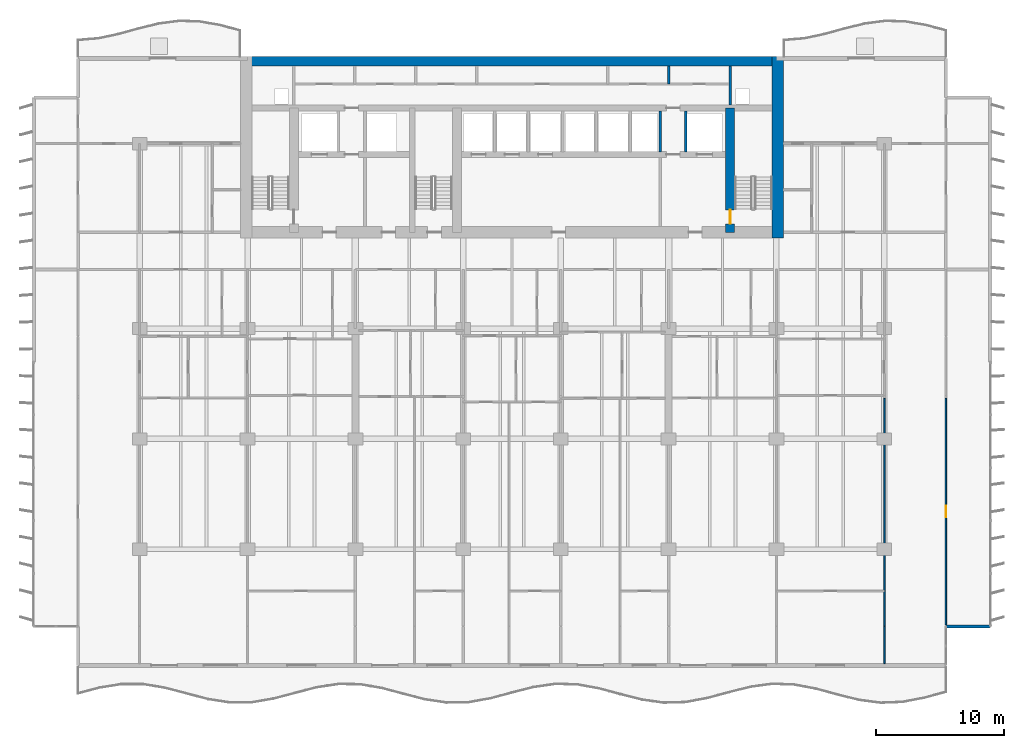
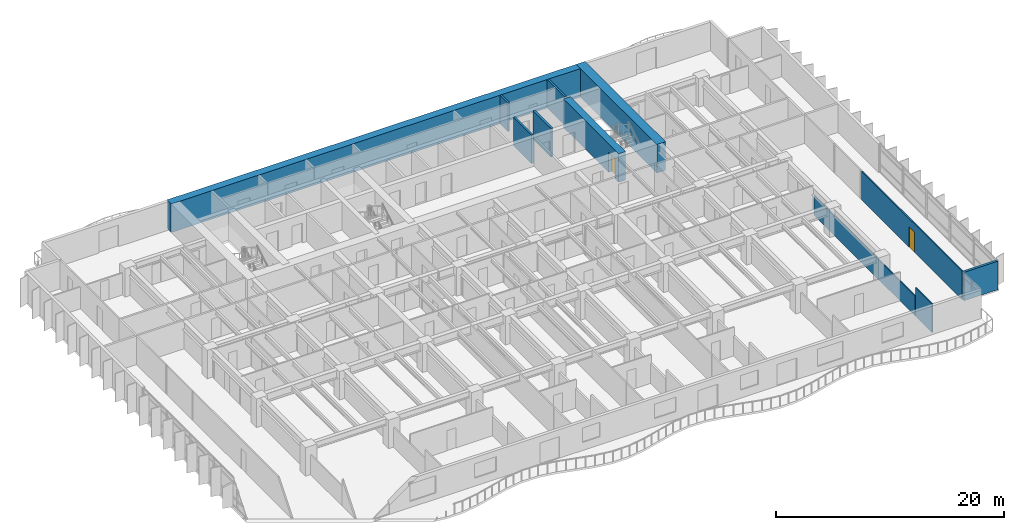
# One storey, part 12 of 18: 11 walls, 2 doors, 2 openings.
"""IFC4 building model written with IfcOpenShell, lengths in metres."""

from ifc_helpers import new_model, si_unit, direction, frame, frame_2d, origin, place, context, subcontext, project, spatial, rectangle, extrude, material, layer, layer_set, type_object, element, fill, save


model = new_model("IFC4")

# Units and contexts
model_context = context("Model", 3, precision=1e-05, world=origin(), true_north=direction((0.0, 1.0)))
body_context = subcontext(model_context, "Body", "Model", "MODEL_VIEW")
ifc_project = project(units=[si_unit("LENGTHUNIT", "METRE"), si_unit("AREAUNIT", "SQUARE_METRE"), si_unit("VOLUMEUNIT", "CUBIC_METRE"), si_unit("PLANEANGLEUNIT", "RADIAN"), si_unit("MASSUNIT", "GRAM", prefix="KILO")], contexts=[model_context])

# Site, building, storey
site_placement = place(None, origin())
site = spatial("IfcSite", under=ifc_project, at=site_placement, CompositionType="ELEMENT")
building_placement = place(site_placement, origin())
building = spatial("IfcBuilding", under=site, at=building_placement, Name="Caelmar Bay Residences", CompositionType="ELEMENT")
storey_placement = place(building_placement, frame((0.0, 0.0, 46.5)))
storey = spatial("IfcBuildingStorey", under=building, at=storey_placement, Name="L11", CompositionType="ELEMENT", Elevation=46.5)

# Wall, opening, door
ifc_material_1 = material(Name="Concrete f'c 55 MPa (8,000 psi)", Category="concrete")
ifc_layer_1 = layer(ifc_material_1, 0.699951171875)
ifc_layer_set_1 = layer_set([ifc_layer_1], Name="Concrete f'c 55 MPa (8,000 psi)")
wall_type_1 = type_object("IfcWallType", Name="SW-COR-700", PredefinedType="SHEAR", material=ifc_layer_set_1)
wall_1_placement = place(storey_placement, frame((55.89990234375, 36.89990234375, 0.0), z_axis=(0.0, 0.0, 1.0), x_axis=(0.0, 1.0, 0.0)))
wall_1 = element("IfcWall", 1, at=wall_1_placement, inside=storey, type_object=wall_type_1, Name="L11 Core Structural Web Wall ST2W", PredefinedType="SHEAR", context=body_context, shape_type="SweptSolid", body=[
    extrude(rectangle(XDim=9.675048828125, YDim=0.699951171875, at=frame_2d((4.83740234375, 0.0))), origin(), (0.0, 0.0, 1.0), 3.050048828125),
])
opening_1_placement = place(wall_1_placement, frame((0.64990234375, 0.0, 0.0)))
opening_1 = element("IfcOpeningElement", 2, at=opening_1_placement, cuts=wall_1, Name="Opening D-L11-111", PredefinedType="OPENING", context=body_context, shape_type="SweptSolid", body=[
    extrude(rectangle(XDim=1.10009765625, YDim=2.14990234375, at=frame_2d((0.550048828125, 1.074951171875))), frame((0.0, 0.35986328125, 0.0), z_axis=(0.0, -1.0, 0.0), x_axis=(1.0, 0.0, 0.0)), (0.0, 0.0, 1.0), 0.719970703125),
])
ifc_material_2 = material(Name="Fire-rated steel and walnut architectural door assembly", Category="steel")
ifc_layer_2 = layer(ifc_material_2, 0.050048828125)
ifc_layer_set_2 = layer_set([ifc_layer_2], Name="Fire-rated steel and walnut architectural door assembly")
door_type_1 = type_object("IfcDoorType", Name="D-STAIR-1100", OperationType="NOTDEFINED", PredefinedType="DOOR", material=ifc_layer_set_2)
door_1_placement = place(opening_1_placement, origin())
door_1 = element("IfcDoor", 3, at=door_1_placement, inside=storey, type_object=door_type_1, Name="L11 Firefighting Lobby East Door", OperationType="SINGLE_SWING_RIGHT", OverallHeight=2.14990234375, OverallWidth=1.10009765625, PredefinedType="DOOR", context=body_context, shape_type="SweptSolid", body=[
    extrude(rectangle(XDim=1.10009765625, YDim=2.14990234375, at=frame_2d((0.550048828125, 1.074951171875))), frame((0.0, 0.02490234375, 0.0), z_axis=(0.0, -1.0, 0.0), x_axis=(1.0, 0.0, 0.0)), (0.0, 0.0, 1.0), 0.050048828125),
])
fill(opening_1, door_1)

# Walls
ifc_material_3 = material(Name="Concrete f'c 70 MPa (10,000 psi)", Category="concrete")
ifc_layer_3 = layer(ifc_material_3, 0.89990234375)
ifc_layer_set_3 = layer_set([ifc_layer_3], Name="Concrete f'c 70 MPa (10,000 psi)")
wall_type_2 = type_object("IfcWallType", Name="SW-COR-900", PredefinedType="SHEAR", material=ifc_layer_set_3)
wall_2_placement = place(storey_placement, frame((59.60009765625, 36.449951171875, 0.0), z_axis=(0.0, 0.0, 1.0), x_axis=(0.0, 1.0, 0.0)))
element("IfcWall", 4, at=wall_2_placement, inside=storey, type_object=wall_type_2, Name="L11 Rear Core East Shear Wall", PredefinedType="SHEAR", context=body_context, shape_type="SweptSolid", body=[
    extrude(rectangle(XDim=14.150146484375, YDim=0.89990234375, at=frame_2d((7.0751953125, 0.0))), origin(), (0.0, 0.0, 1.0), 3.050048828125),
])
ifc_layer_4 = layer(ifc_material_3, 0.75)
ifc_layer_set_4 = layer_set([ifc_layer_4], Name="Concrete f'c 70 MPa (10,000 psi)")
wall_type_3 = type_object("IfcWallType", Name="SW-CORN-750", PredefinedType="SHEAR", material=ifc_layer_set_4)
wall_3_placement = place(storey_placement, frame((17.75, 50.22509765625, 0.0), z_axis=(0.0, 0.0, 1.0), x_axis=(1.0, 0.0, 0.0)))
element("IfcWall", 5, at=wall_3_placement, inside=storey, type_object=wall_type_3, Name="L11 Rear Core North Shear Wall", PredefinedType="SHEAR", context=body_context, shape_type="SweptSolid", body=[
    extrude(rectangle(XDim=42.300048828125, YDim=0.75, at=frame_2d((21.14990234375, 0.0))), origin(), (0.0, 0.0, 1.0), 3.050048828125),
])
ifc_material_4 = material(Name="Double-stud acoustic fire-rated gypsum partition 180 mm")
ifc_layer_5 = layer(ifc_material_4, 0.179931640625)
ifc_layer_set_5 = layer_set([ifc_layer_5], Name="Double-stud acoustic fire-rated gypsum partition 180 mm")
wall_type_4 = type_object("IfcWallType", Name="W-COR-200", PredefinedType="PARTITIONING", material=ifc_layer_set_5)
wall_4_placement = place(storey_placement, frame((51.10009765625, 48.449951171875, 0.0), z_axis=(0.0, 0.0, 1.0), x_axis=(0.0, 1.0, 0.0)))
element("IfcWall", 6, at=wall_4_placement, inside=storey, type_object=wall_type_4, Name="L11 Partition Wall V083", PredefinedType="PARTITIONING", context=body_context, shape_type="SweptSolid", body=[
    extrude(rectangle(XDim=1.405029296875, YDim=0.179931640625, at=frame_2d((0.70263671875, 0.0))), origin(), (0.0, 0.0, 1.0), 3.050048828125),
])
ifc_material_5 = material(Name="Precast concrete f'c 40 MPa (6,000 psi)", Category="concrete")
ifc_layer_6 = layer(ifc_material_5, 0.25)
ifc_layer_set_6 = layer_set([ifc_layer_6], Name="Precast concrete f'c 40 MPa (6,000 psi)")
wall_type_5 = type_object("IfcWallType", Name="W-EXT-250", PredefinedType="ELEMENTEDWALL", material=ifc_layer_set_6)
wall_5_placement = place(storey_placement, frame((72.699951171875, 6.199951171875, 0.0), z_axis=(0.0, 0.0, 1.0), x_axis=(1.0, 0.0, 0.0)))
element("IfcWall", 7, at=wall_5_placement, inside=storey, type_object=wall_type_5, Name="L11 SE Notch Return Wall", PredefinedType="ELEMENTEDWALL", context=body_context, shape_type="SweptSolid", body=[
    extrude(rectangle(XDim=3.449951171875, YDim=0.25, at=frame_2d((1.72509765625, 0.0))), origin(), (0.0, 0.0, 1.0), 3.050048828125),
])
ifc_material_6 = material(Name="Fire-rated masonry and gypsum shaftliner assembly 200 mm", Category="masonry")
ifc_layer_7 = layer(ifc_material_6, 0.199951171875)
ifc_layer_set_7 = layer_set([ifc_layer_7], Name="Fire-rated masonry and gypsum shaftliner assembly 200 mm")
wall_type_6 = type_object("IfcWallType", Name="W-FSAE-200", PredefinedType="PARTITIONING", material=ifc_layer_set_7)
for number, where, z_axis, x_axis, name in (
    (8, (50.449951171875, 43.169921875, 0.0), (0.0, 0.0, 1.0), (0.0, 1.0, 0.0), "L11 Partition Wall V079"),
    (9, (52.449951171875, 43.169921875, 0.0), (0.0, 0.0, 1.0), (0.0, 1.0, 0.0), "L11 Partition Wall V084"),
):
    element("IfcWall", number, at=place(storey_placement, frame(where, z_axis=z_axis, x_axis=x_axis)), inside=storey, type_object=wall_type_6, Name=name, PredefinedType="PARTITIONING", context=body_context, shape_type="SweptSolid", body=[
        extrude(rectangle(XDim=3.18505859375, YDim=0.199951171875, at=frame_2d((1.592529296875, 0.0))), origin(), (0.0, 0.0, 1.0), 3.050048828125),
    ])
wall_6_placement = place(storey_placement, frame((55.89990234375, 46.794921875, 0.0), z_axis=(0.0, 0.0, 1.0), x_axis=(0.0, 1.0, 0.0)))
element("IfcWall", 10, at=wall_6_placement, inside=storey, type_object=wall_type_6, Name="L11 Partition Wall V088", PredefinedType="PARTITIONING", context=body_context, shape_type="SweptSolid", body=[
    extrude(rectangle(XDim=3.06005859375, YDim=0.199951171875, at=frame_2d((1.530029296875, 0.0))), origin(), (0.0, 0.0, 1.0), 3.050048828125),
])
ifc_material_7 = material(Name="Acoustic metal-stud gypsum partition 120 mm")
ifc_layer_8 = layer(ifc_material_7, 0.1201171875)
ifc_layer_set_8 = layer_set([ifc_layer_8], Name="Acoustic metal-stud gypsum partition 120 mm")
wall_type_7 = type_object("IfcWallType", Name="W-PRT-120", PredefinedType="PARTITIONING", material=ifc_layer_set_8)
wall_7_placement = place(storey_placement, frame((67.89990234375, 3.294921875, 0.0), z_axis=(0.0, 0.0, 1.0), x_axis=(0.0, 1.0, 0.0)))
element("IfcWall", 11, at=wall_7_placement, inside=storey, type_object=wall_type_7, Name="L11 Partition Wall V099", PredefinedType="PARTITIONING", context=body_context, shape_type="SweptSolid", body=[
    extrude(rectangle(XDim=2.905029296875, YDim=0.1201171875, at=frame_2d((1.45263671875, 0.0))), origin(), (0.0, 0.0, 1.0), 3.050048828125),
])
wall_8_placement = place(storey_placement, frame((67.89990234375, 6.239990234375, 0.0), z_axis=(0.0, 0.0, 1.0), x_axis=(0.0, 1.0, 0.0)))
element("IfcWall", 12, at=wall_8_placement, inside=storey, type_object=wall_type_7, Name="L11 Partition Wall V100", PredefinedType="PARTITIONING", context=body_context, shape_type="SweptSolid", body=[
    extrude(rectangle(XDim=17.72998046875, YDim=0.1201171875, at=frame_2d((8.864990234375, 0.0))), origin(), (0.0, 0.0, 1.0), 2.110107421875),
])

# Wall, opening, door
wall_9_placement = place(storey_placement, frame((72.699951171875, 6.320068359375, 0.0), z_axis=(0.0, 0.0, 1.0), x_axis=(0.0, 1.0, 0.0)))
wall_9 = element("IfcWall", 13, at=wall_9_placement, inside=storey, type_object=wall_type_7, Name="L11 Partition Wall V106", PredefinedType="PARTITIONING", context=body_context, shape_type="SweptSolid", body=[
    extrude(rectangle(XDim=17.64990234375, YDim=0.1201171875, at=frame_2d((8.824951171875, 0.0))), origin(), (0.0, 0.0, 1.0), 3.050048828125),
])
opening_2_placement = place(wall_9_placement, frame((8.375, 0.0, 0.0)))
opening_2 = element("IfcOpeningElement", 14, at=opening_2_placement, cuts=wall_9, Name="Opening D-L11-167", PredefinedType="OPENING", context=body_context, shape_type="SweptSolid", body=[
    extrude(rectangle(XDim=0.89990234375, YDim=2.14990234375, at=frame_2d((0.449951171875, 1.074951171875))), frame((0.0, 0.070068359375, 0.0), z_axis=(0.0, -1.0, 0.0), x_axis=(1.0, 0.0, 0.0)), (0.0, 0.0, 1.0), 0.14013671875),
])
ifc_material_8 = material(Name="Solid walnut timber interior door leaf and frame", Category="wood")
ifc_layer_9 = layer(ifc_material_8, 0.050048828125)
ifc_layer_set_9 = layer_set([ifc_layer_9], Name="Solid walnut timber interior door leaf and frame")
door_type_2 = type_object("IfcDoorType", Name="D-ROOM-900", OperationType="NOTDEFINED", PredefinedType="DOOR", material=ifc_layer_set_9)
door_2_placement = place(opening_2_placement, origin())
door_2 = element("IfcDoor", 15, at=door_2_placement, inside=storey, type_object=door_type_2, Name="L11 Residence 05 Penthouse East Salon Door", OperationType="SINGLE_SWING_RIGHT", OverallHeight=2.14990234375, OverallWidth=0.89990234375, PredefinedType="DOOR", context=body_context, shape_type="SweptSolid", body=[
    extrude(rectangle(XDim=0.89990234375, YDim=2.14990234375, at=frame_2d((0.449951171875, 1.074951171875))), frame((0.0, 0.02490234375, 0.0), z_axis=(0.0, -1.0, 0.0), x_axis=(1.0, 0.0, 0.0)), (0.0, 0.0, 1.0), 0.050048828125),
])
fill(opening_2, door_2)

save(model, "model.ifc")
